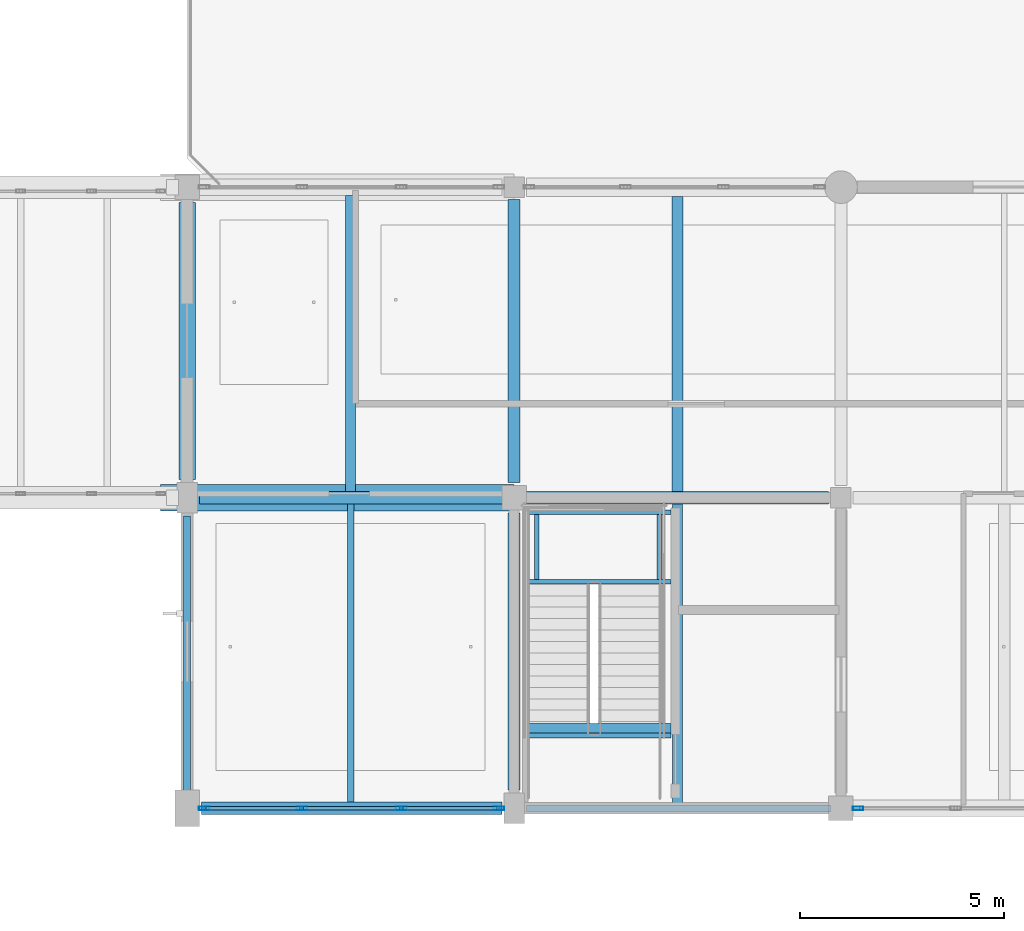
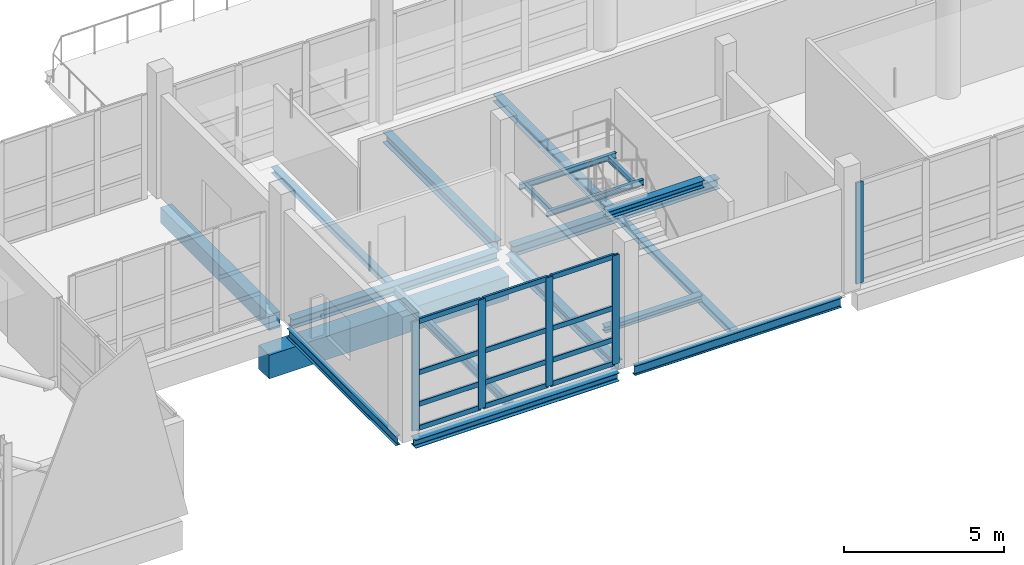
# One storey, part 25 of 147: 19 beams, 17 members, 2 elements without a shape of their own.
"""IFC4 building model written with IfcOpenShell, lengths in metres."""

from ifc_helpers import new_model, si_unit, direction, frame, origin, origin_2d, place, context, subcontext, project, spatial, rectangle, hollow_rectangle, i_section, extrude, material, material_profile, profile_set, type_object, element, aggregate, save


model = new_model("IFC4")

# Units and contexts
model_context = context("Model", 3, precision=1e-05, world=origin(), true_north=direction((0.0, 1.0)))
body_context = subcontext(model_context, "Body", "Model", "MODEL_VIEW")
ifc_project = project(units=[si_unit("LENGTHUNIT", "METRE"), si_unit("AREAUNIT", "SQUARE_METRE"), si_unit("VOLUMEUNIT", "CUBIC_METRE"), si_unit("PLANEANGLEUNIT", "RADIAN"), si_unit("MASSUNIT", "GRAM", prefix="KILO")], contexts=[model_context])

# Site, building, storey
site_placement = place(None, origin())
site = spatial("IfcSite", under=ifc_project, at=site_placement, CompositionType="ELEMENT")
building_placement = place(site_placement, origin())
building = spatial("IfcBuilding", under=site, at=building_placement, Name="Khelvaren Railside Concert Hall", CompositionType="ELEMENT")
storey_placement = place(building_placement, frame((0.0, 0.0, 5.39990234375)))
storey = spatial("IfcBuildingStorey", under=building, at=storey_placement, Name="L01", CompositionType="ELEMENT", Elevation=5.39990234375)

# Beams
ifc_material_1 = material(Name="Concrete C40/50", Category="concrete")
ifc_material_profile_1 = material_profile(ifc_material_1, rectangle(XDim=0.64990234375, YDim=0.89990234375, at=origin_2d()), Name="RCB 650x900")
ifc_profile_set_1 = profile_set([ifc_material_profile_1], Name="Concrete C40/50")
beam_type_1 = type_object("IfcBeamType", Name="BM18", PredefinedType="BEAM", material=ifc_profile_set_1)
beam_1_placement = place(storey_placement, frame((63.35009765625, 7.60009765625, -1.659912109375), z_axis=(1.0, 0.0, 0.0), x_axis=(0.0, 1.0, 0.0)))
element("IfcBeam", 1, at=beam_1_placement, inside=storey, type_object=beam_type_1, Name="West Promenade Link Bridge L01 Seismic Corbel Seat 1", PredefinedType="BEAM", context=body_context, shape_type="SweptSolid", body=[
    extrude(rectangle(XDim=0.64990234375, YDim=0.89990234375, at=origin_2d()), origin(), (0.0, 0.0, 1.0), 8.64990234375),
])
ifc_material_2 = material(Name="Steel S355", Category="steel")
ifc_material_profile_2 = material_profile(ifc_material_2, i_section(OverallWidth=0.300048828125, OverallDepth=0.389892578125, WebThickness=0.010986328125, FlangeThickness=0.01904296875, FilletRadius=0.027099609375, at=origin_2d()), Name="HEA 400")
ifc_profile_set_2 = profile_set([ifc_material_profile_2], Name="Steel S355")
beam_type_2 = type_object("IfcBeamType", Name="BM23", PredefinedType="BEAM", material=ifc_profile_set_2)
beam_2_placement = place(storey_placement, frame((72.25, 7.60009765625, -0.494873046875), z_axis=(1.0, 0.0, 0.0), x_axis=(0.0, 1.0, 0.0)))
element("IfcBeam", 2, at=beam_2_placement, inside=storey, type_object=beam_type_2, Name="V3 L01 Beam X2.2", PredefinedType="BEAM", context=body_context, shape_type="SweptSolid", body=[
    extrude(i_section(OverallWidth=0.300048828125, OverallDepth=0.389892578125, WebThickness=0.010986328125, FlangeThickness=0.01904296875, FilletRadius=0.027099609375, at=origin_2d()), origin(), (0.0, 0.0, 1.0), 7.449951171875),
])
beam_3_placement = place(storey_placement, frame((72.0, 7.97509765625, -0.494873046875), z_axis=(0.0, 1.0, 0.0), x_axis=(-1.0, 0.0, 0.0)))
element("IfcBeam", 3, at=beam_3_placement, inside=storey, type_object=beam_type_2, Name="V3 L01 Beam Y2.2", PredefinedType="BEAM", context=body_context, shape_type="SweptSolid", body=[
    extrude(i_section(OverallWidth=0.300048828125, OverallDepth=0.389892578125, WebThickness=0.010986328125, FlangeThickness=0.01904296875, FilletRadius=0.027099609375, at=origin_2d()), origin(), (0.0, 0.0, 1.0), 6.9248046875),
])
ifc_material_profile_3 = material_profile(ifc_material_2, i_section(OverallWidth=0.239990234375, OverallDepth=0.22998046875, WebThickness=0.007568359375, FlangeThickness=0.011962890625, FilletRadius=0.02099609375, at=origin_2d()), Name="HEA 240")
ifc_profile_set_3 = profile_set([ifc_material_profile_3], Name="Steel S355")
beam_type_3 = type_object("IfcBeamType", Name="BM42", PredefinedType="BEAM", material=ifc_profile_set_3)
beam_4_placement = place(storey_placement, frame((72.344970703125, 1.960693359375, -0.114990234375), z_axis=(1.0, 0.0, 0.0), x_axis=(0.0, 1.0, 0.0)))
element("IfcBeam", 4, at=beam_4_placement, inside=storey, type_object=beam_type_3, Name="ST-05 L01 Stair Foot Trimmer Beam", PredefinedType="BEAM", context=body_context, shape_type="SweptSolid", body=[
    extrude(i_section(OverallWidth=0.239990234375, OverallDepth=0.22998046875, WebThickness=0.007568359375, FlangeThickness=0.011962890625, FilletRadius=0.02099609375, at=origin_2d()), origin(), (0.0, 0.0, 1.0), 3.4951171875),
])
ifc_material_profile_4 = material_profile(ifc_material_2, i_section(OverallWidth=0.300048828125, OverallDepth=0.35009765625, WebThickness=0.010009765625, FlangeThickness=0.017578125, FilletRadius=0.027099609375, at=origin_2d()), Name="HEA 360")
ifc_profile_set_4 = profile_set([ifc_material_profile_4], Name="Steel S355")
beam_type_4 = type_object("IfcBeamType", Name="BM73", PredefinedType="BEAM", material=ifc_profile_set_4)
beam_5_placement = place(storey_placement, frame((64.300048828125, 7.60009765625, -0.474853515625), z_axis=(1.0, 0.0, 0.0), x_axis=(0.0, 1.0, 0.0)))
element("IfcBeam", 5, at=beam_5_placement, inside=storey, type_object=beam_type_4, Name="V3 L01 Beam X2.1", PredefinedType="BEAM", context=body_context, shape_type="SweptSolid", body=[
    extrude(i_section(OverallWidth=0.300048828125, OverallDepth=0.35009765625, WebThickness=0.010009765625, FlangeThickness=0.017578125, FilletRadius=0.027099609375, at=origin_2d()), origin(), (0.0, 0.0, 1.0), 7.449951171875),
])
beam_6_placement = place(storey_placement, frame((72.0, 0.449951171875, -0.474853515625), z_axis=(0.0, 1.0, 0.0), x_axis=(-1.0, 0.0, 0.0)))
element("IfcBeam", 6, at=beam_6_placement, inside=storey, type_object=beam_type_4, Name="V3 L01 Beam Y2.1", PredefinedType="BEAM", context=body_context, shape_type="SweptSolid", body=[
    extrude(i_section(OverallWidth=0.300048828125, OverallDepth=0.35009765625, WebThickness=0.010009765625, FlangeThickness=0.017578125, FilletRadius=0.027099609375, at=origin_2d()), origin(), (0.0, 0.0, 1.0), 6.775146484375),
])
ifc_material_profile_5 = material_profile(ifc_material_2, i_section(OverallWidth=0.110107421875, OverallDepth=0.219970703125, WebThickness=0.005859375, FlangeThickness=0.00927734375, FilletRadius=0.011962890625, at=origin_2d()), Name="IPE 220")
ifc_profile_set_5 = profile_set([ifc_material_profile_5], Name="Steel S355")
beam_type_5 = type_object("IfcBeamType", Name="BM87", PredefinedType="BEAM", material=ifc_profile_set_5)
for number, where, z_axis, x_axis, name in (
    (7, (72.344970703125, 5.544921875, 2.090087890625), (1.0, 0.0, 0.0), (0.0, 1.0, 0.0), "ST-05 L01 Half-Landing Front Beam"),
    (8, (72.344970703125, 7.239990234375, 2.090087890625), (1.0, 0.0, 0.0), (0.0, 1.0, 0.0), "ST-05 L01 Half-Landing Rear Beam"),
):
    element("IfcBeam", number, at=place(storey_placement, frame(where, z_axis=z_axis, x_axis=x_axis)), inside=storey, type_object=beam_type_5, Name=name, PredefinedType="BEAM", context=body_context, shape_type="SweptSolid", body=[
        extrude(i_section(OverallWidth=0.110107421875, OverallDepth=0.219970703125, WebThickness=0.005859375, FlangeThickness=0.00927734375, FilletRadius=0.011962890625, at=origin_2d()), origin(), (0.0, 0.0, 1.0), 3.4951171875),
    ])
for number, where, z_axis, x_axis, name in (
    (9, (72.550048828125, 5.60009765625, 2.090087890625), (0.0, 1.0, 0.0), (-1.0, 0.0, 0.0), "ST-05 L01 Half-Landing Side Tie W"),
    (10, (75.550048828125, 5.60009765625, 2.090087890625), (0.0, 1.0, 0.0), (-1.0, 0.0, 0.0), "ST-05 L01 Half-Landing Side Tie E"),
):
    element("IfcBeam", number, at=place(storey_placement, frame(where, z_axis=z_axis, x_axis=x_axis)), inside=storey, type_object=beam_type_5, Name=name, PredefinedType="BEAM", context=body_context, shape_type="SweptSolid", body=[
        extrude(i_section(OverallWidth=0.110107421875, OverallDepth=0.219970703125, WebThickness=0.005859375, FlangeThickness=0.00927734375, FilletRadius=0.011962890625, at=origin_2d()), origin(), (0.0, 0.0, 1.0), 1.5849609375),
    ])
ifc_material_profile_6 = material_profile(ifc_material_2, i_section(OverallWidth=0.280029296875, OverallDepth=0.27001953125, WebThickness=0.008056640625, FlangeThickness=0.012939453125, FilletRadius=0.02392578125, at=origin_2d()), Name="HEA 280")
ifc_profile_set_6 = profile_set([ifc_material_profile_6], Name="Steel S355")
beam_type_6 = type_object("IfcBeamType", Name="BM93", PredefinedType="BEAM", material=ifc_profile_set_6)
beam_7_placement = place(storey_placement, frame((72.344970703125, 1.860107421875, 4.31787109375), z_axis=(1.0, 0.0, 0.0), x_axis=(0.0, 1.0, 0.0)))
element("IfcBeam", 11, at=beam_7_placement, inside=storey, type_object=beam_type_6, Name="ST-05 L01 Stair Top Arrival Trimmer Beam", PredefinedType="BEAM", context=body_context, shape_type="SweptSolid", body=[
    extrude(i_section(OverallWidth=0.280029296875, OverallDepth=0.27001953125, WebThickness=0.008056640625, FlangeThickness=0.012939453125, FilletRadius=0.02392578125, at=origin_2d()), origin(), (0.0, 0.0, 1.0), 3.4951171875),
])

# Curtain wall, members
ifc_material_3 = material(Name="Acoustic laminated crystal facade glass", Category="glass")
curtain_wall_type_1 = type_object("IfcCurtainWallType", Name="CW54", PredefinedType="USERDEFINED", material=ifc_material_3)
curtain_wall_1_placement = place(storey_placement, origin())
curtain_wall_1 = element("IfcCurtainWall", 12, at=curtain_wall_1_placement, inside=storey, type_object=curtain_wall_type_1, Name="Unitised Curtain Wall CW-V3-L01-S-64", ObjectType="UNITISED CURTAIN WALL", PredefinedType="USERDEFINED")
ifc_material_4 = material(Name="Anodised architectural aluminium 6063-T6", Category="aluminium")
ifc_material_profile_7 = material_profile(ifc_material_4, hollow_rectangle(XDim=0.0849609375, YDim=0.260009765625, WallThickness=0.0048828125, InnerFilletRadius=0.0029296875, OuterFilletRadius=0.0048828125, at=origin_2d()), Name="CWM 85x260x5")
ifc_profile_set_7 = profile_set([ifc_material_profile_7], Name="Anodised architectural aluminium 6063-T6")
member_type_1 = type_object("IfcMemberType", Name="CWM40", PredefinedType="MULLION", material=ifc_profile_set_7)
member_1_placement = place(storey_placement, frame((71.6298828125, 0.0, 0.0), z_axis=(0.0, 0.0, 1.0), x_axis=(0.0, -1.0, 0.0)))
member_1 = element("IfcMember", 13, at=member_1_placement, type_object=member_type_1, Name="CW54 mullion 1", PredefinedType="MULLION", context=body_context, shape_type="SweptSolid", body=[
    extrude(hollow_rectangle(XDim=0.0849609375, YDim=0.260009765625, WallThickness=0.0048828125, InnerFilletRadius=0.0029296875, OuterFilletRadius=0.0048828125, at=origin_2d()), origin(), (0.0, 0.0, 1.0), 4.150146484375),
])
member_2_placement = place(storey_placement, frame((69.24072265625, 0.0, 0.0), z_axis=(0.0, 0.0, 1.0), x_axis=(0.0, -1.0, 0.0)))
member_2 = element("IfcMember", 14, at=member_2_placement, type_object=member_type_1, Name="CW54 mullion 2", PredefinedType="MULLION", context=body_context, shape_type="SweptSolid", body=[
    extrude(hollow_rectangle(XDim=0.0849609375, YDim=0.260009765625, WallThickness=0.0048828125, InnerFilletRadius=0.0029296875, OuterFilletRadius=0.0048828125, at=origin_2d()), origin(), (0.0, 0.0, 1.0), 4.150146484375),
])
member_3_placement = place(storey_placement, frame((66.80908203125, 0.0, 0.0), z_axis=(0.0, 0.0, 1.0), x_axis=(0.0, -1.0, 0.0)))
member_3 = element("IfcMember", 15, at=member_3_placement, type_object=member_type_1, Name="CW54 mullion 3", PredefinedType="MULLION", context=body_context, shape_type="SweptSolid", body=[
    extrude(hollow_rectangle(XDim=0.0849609375, YDim=0.260009765625, WallThickness=0.0048828125, InnerFilletRadius=0.0029296875, OuterFilletRadius=0.0048828125, at=origin_2d()), origin(), (0.0, 0.0, 1.0), 4.150146484375),
])
member_4_placement = place(storey_placement, frame((64.419921875, 0.0, 0.0), z_axis=(0.0, 0.0, 1.0), x_axis=(0.0, -1.0, 0.0)))
member_4 = element("IfcMember", 16, at=member_4_placement, type_object=member_type_1, Name="CW54 mullion 4", PredefinedType="MULLION", context=body_context, shape_type="SweptSolid", body=[
    extrude(hollow_rectangle(XDim=0.0849609375, YDim=0.260009765625, WallThickness=0.0048828125, InnerFilletRadius=0.0029296875, OuterFilletRadius=0.0048828125, at=origin_2d()), origin(), (0.0, 0.0, 1.0), 4.150146484375),
])

# Curtain wall, member
curtain_wall_type_2 = type_object("IfcCurtainWallType", Name="CW66", PredefinedType="USERDEFINED", material=ifc_material_3)
curtain_wall_2_placement = place(storey_placement, origin())
curtain_wall_2 = element("IfcCurtainWall", 17, at=curtain_wall_2_placement, inside=storey, type_object=curtain_wall_type_2, Name="Unitised Curtain Wall CW-V3-L01-S-80", ObjectType="UNITISED CURTAIN WALL", PredefinedType="USERDEFINED")
member_5_placement = place(storey_placement, frame((80.419921875, 0.0, 0.0), z_axis=(0.0, 0.0, 1.0), x_axis=(0.0, -1.0, 0.0)))
member_5 = element("IfcMember", 18, at=member_5_placement, type_object=member_type_1, Name="CW66 mullion 4", PredefinedType="MULLION", context=body_context, shape_type="SweptSolid", body=[
    extrude(hollow_rectangle(XDim=0.0849609375, YDim=0.260009765625, WallThickness=0.0048828125, InnerFilletRadius=0.0029296875, OuterFilletRadius=0.0048828125, at=origin_2d()), origin(), (0.0, 0.0, 1.0), 3.85009765625),
])
aggregate(curtain_wall_2, [member_5])

# Member
ifc_material_profile_8 = material_profile(ifc_material_4, hollow_rectangle(XDim=0.0849609375, YDim=0.18994140625, WallThickness=0.0048828125, InnerFilletRadius=0.0029296875, OuterFilletRadius=0.0048828125, at=origin_2d()), Name="CWT 85x190x5")
ifc_profile_set_8 = profile_set([ifc_material_profile_8], Name="Anodised architectural aluminium 6063-T6")
member_type_2 = type_object("IfcMemberType", Name="CWT31", PredefinedType="USERDEFINED", material=ifc_profile_set_8)
member_6_placement = place(storey_placement, frame((71.58740234375, 0.0, 0.04248046875), z_axis=(-1.0, 0.0, 0.0), x_axis=(0.0, -1.0, 0.0)))
member_6 = element("IfcMember", 19, at=member_6_placement, type_object=member_type_2, Name="CW54 transom 1.1", ObjectType="TRANSOM", PredefinedType="USERDEFINED", context=body_context, shape_type="SweptSolid", body=[
    extrude(hollow_rectangle(XDim=0.0849609375, YDim=0.18994140625, WallThickness=0.0048828125, InnerFilletRadius=0.0029296875, OuterFilletRadius=0.0048828125, at=origin_2d()), origin(), (0.0, 0.0, 1.0), 2.303955078125),
])

member_7_placement = place(storey_placement, frame((71.58740234375, 0.0, 0.9501953125), z_axis=(-1.0, 0.0, 0.0), x_axis=(0.0, -1.0, 0.0)))
member_7 = element("IfcMember", 20, at=member_7_placement, type_object=member_type_2, Name="CW54 transom 1.2", ObjectType="TRANSOM", PredefinedType="USERDEFINED", context=body_context, shape_type="SweptSolid", body=[
    extrude(hollow_rectangle(XDim=0.0849609375, YDim=0.18994140625, WallThickness=0.0048828125, InnerFilletRadius=0.0029296875, OuterFilletRadius=0.0048828125, at=origin_2d()), origin(), (0.0, 0.0, 1.0), 2.303955078125),
])

member_8_placement = place(storey_placement, frame((71.58740234375, 0.0, 2.158203125), z_axis=(-1.0, 0.0, 0.0), x_axis=(0.0, -1.0, 0.0)))
member_8 = element("IfcMember", 21, at=member_8_placement, type_object=member_type_2, Name="CW54 transom 1.3", ObjectType="TRANSOM", PredefinedType="USERDEFINED", context=body_context, shape_type="SweptSolid", body=[
    extrude(hollow_rectangle(XDim=0.0849609375, YDim=0.18994140625, WallThickness=0.0048828125, InnerFilletRadius=0.0029296875, OuterFilletRadius=0.0048828125, at=origin_2d()), origin(), (0.0, 0.0, 1.0), 2.303955078125),
])

member_9_placement = place(storey_placement, frame((71.58740234375, 0.0, 4.107666015625), z_axis=(-1.0, 0.0, 0.0), x_axis=(0.0, -1.0, 0.0)))
member_9 = element("IfcMember", 22, at=member_9_placement, type_object=member_type_2, Name="CW54 transom 1.4", ObjectType="TRANSOM", PredefinedType="USERDEFINED", context=body_context, shape_type="SweptSolid", body=[
    extrude(hollow_rectangle(XDim=0.0849609375, YDim=0.18994140625, WallThickness=0.0048828125, InnerFilletRadius=0.0029296875, OuterFilletRadius=0.0048828125, at=origin_2d()), origin(), (0.0, 0.0, 1.0), 2.303955078125),
])

member_10_placement = place(storey_placement, frame((69.1982421875, 0.0, 0.04248046875), z_axis=(-1.0, 0.0, 0.0), x_axis=(0.0, -1.0, 0.0)))
member_10 = element("IfcMember", 23, at=member_10_placement, type_object=member_type_2, Name="CW54 transom 2.1", ObjectType="TRANSOM", PredefinedType="USERDEFINED", context=body_context, shape_type="SweptSolid", body=[
    extrude(hollow_rectangle(XDim=0.0849609375, YDim=0.18994140625, WallThickness=0.0048828125, InnerFilletRadius=0.0029296875, OuterFilletRadius=0.0048828125, at=origin_2d()), origin(), (0.0, 0.0, 1.0), 2.3466796875),
])

member_11_placement = place(storey_placement, frame((69.1982421875, 0.0, 0.9501953125), z_axis=(-1.0, 0.0, 0.0), x_axis=(0.0, -1.0, 0.0)))
member_11 = element("IfcMember", 24, at=member_11_placement, type_object=member_type_2, Name="CW54 transom 2.2", ObjectType="TRANSOM", PredefinedType="USERDEFINED", context=body_context, shape_type="SweptSolid", body=[
    extrude(hollow_rectangle(XDim=0.0849609375, YDim=0.18994140625, WallThickness=0.0048828125, InnerFilletRadius=0.0029296875, OuterFilletRadius=0.0048828125, at=origin_2d()), origin(), (0.0, 0.0, 1.0), 2.3466796875),
])

member_12_placement = place(storey_placement, frame((69.1982421875, 0.0, 2.158203125), z_axis=(-1.0, 0.0, 0.0), x_axis=(0.0, -1.0, 0.0)))
member_12 = element("IfcMember", 25, at=member_12_placement, type_object=member_type_2, Name="CW54 transom 2.3", ObjectType="TRANSOM", PredefinedType="USERDEFINED", context=body_context, shape_type="SweptSolid", body=[
    extrude(hollow_rectangle(XDim=0.0849609375, YDim=0.18994140625, WallThickness=0.0048828125, InnerFilletRadius=0.0029296875, OuterFilletRadius=0.0048828125, at=origin_2d()), origin(), (0.0, 0.0, 1.0), 2.3466796875),
])

member_13_placement = place(storey_placement, frame((69.1982421875, 0.0, 4.107666015625), z_axis=(-1.0, 0.0, 0.0), x_axis=(0.0, -1.0, 0.0)))
member_13 = element("IfcMember", 26, at=member_13_placement, type_object=member_type_2, Name="CW54 transom 2.4", ObjectType="TRANSOM", PredefinedType="USERDEFINED", context=body_context, shape_type="SweptSolid", body=[
    extrude(hollow_rectangle(XDim=0.0849609375, YDim=0.18994140625, WallThickness=0.0048828125, InnerFilletRadius=0.0029296875, OuterFilletRadius=0.0048828125, at=origin_2d()), origin(), (0.0, 0.0, 1.0), 2.3466796875),
])

member_14_placement = place(storey_placement, frame((66.7666015625, 0.0, 0.04248046875), z_axis=(-1.0, 0.0, 0.0), x_axis=(0.0, -1.0, 0.0)))
member_14 = element("IfcMember", 27, at=member_14_placement, type_object=member_type_2, Name="CW54 transom 3.1", ObjectType="TRANSOM", PredefinedType="USERDEFINED", context=body_context, shape_type="SweptSolid", body=[
    extrude(hollow_rectangle(XDim=0.0849609375, YDim=0.18994140625, WallThickness=0.0048828125, InnerFilletRadius=0.0029296875, OuterFilletRadius=0.0048828125, at=origin_2d()), origin(), (0.0, 0.0, 1.0), 2.30419921875),
])

member_15_placement = place(storey_placement, frame((66.7666015625, 0.0, 0.9501953125), z_axis=(-1.0, 0.0, 0.0), x_axis=(0.0, -1.0, 0.0)))
member_15 = element("IfcMember", 28, at=member_15_placement, type_object=member_type_2, Name="CW54 transom 3.2", ObjectType="TRANSOM", PredefinedType="USERDEFINED", context=body_context, shape_type="SweptSolid", body=[
    extrude(hollow_rectangle(XDim=0.0849609375, YDim=0.18994140625, WallThickness=0.0048828125, InnerFilletRadius=0.0029296875, OuterFilletRadius=0.0048828125, at=origin_2d()), origin(), (0.0, 0.0, 1.0), 2.30419921875),
])

member_16_placement = place(storey_placement, frame((66.7666015625, 0.0, 2.158203125), z_axis=(-1.0, 0.0, 0.0), x_axis=(0.0, -1.0, 0.0)))
member_16 = element("IfcMember", 29, at=member_16_placement, type_object=member_type_2, Name="CW54 transom 3.3", ObjectType="TRANSOM", PredefinedType="USERDEFINED", context=body_context, shape_type="SweptSolid", body=[
    extrude(hollow_rectangle(XDim=0.0849609375, YDim=0.18994140625, WallThickness=0.0048828125, InnerFilletRadius=0.0029296875, OuterFilletRadius=0.0048828125, at=origin_2d()), origin(), (0.0, 0.0, 1.0), 2.30419921875),
])

member_17_placement = place(storey_placement, frame((66.7666015625, 0.0, 4.107666015625), z_axis=(-1.0, 0.0, 0.0), x_axis=(0.0, -1.0, 0.0)))
member_17 = element("IfcMember", 30, at=member_17_placement, type_object=member_type_2, Name="CW54 transom 3.4", ObjectType="TRANSOM", PredefinedType="USERDEFINED", context=body_context, shape_type="SweptSolid", body=[
    extrude(hollow_rectangle(XDim=0.0849609375, YDim=0.18994140625, WallThickness=0.0048828125, InnerFilletRadius=0.0029296875, OuterFilletRadius=0.0048828125, at=origin_2d()), origin(), (0.0, 0.0, 1.0), 2.30419921875),
])

aggregate(curtain_wall_1, [member_1, member_2, member_3, member_4, member_6, member_7, member_8, member_9, member_10, member_11, member_12, member_13, member_14, member_15, member_16, member_17])

# Beams
ifc_material_profile_9 = material_profile(ifc_material_2, i_section(OverallWidth=0.280029296875, OverallDepth=0.27001953125, WebThickness=0.008056640625, FlangeThickness=0.012939453125, FilletRadius=0.02392578125, at=origin_2d()), Name="HEA 280")
ifc_profile_set_9 = profile_set([ifc_material_profile_9], Name="Steel S355")
beam_type_7 = type_object("IfcBeamType", Name="JS46", PredefinedType="JOIST", material=ifc_profile_set_9)
beam_8_placement = place(storey_placement, frame((76.0, 7.75, -0.434814453125), z_axis=(0.0, 1.0, 0.0), x_axis=(-1.0, 0.0, 0.0)))
element("IfcBeam", 31, at=beam_8_placement, inside=storey, type_object=beam_type_7, Name="V3 L01 Secondary Joist 2.2", PredefinedType="JOIST", context=body_context, shape_type="SweptSolid", body=[
    extrude(i_section(OverallWidth=0.280029296875, OverallDepth=0.27001953125, WebThickness=0.008056640625, FlangeThickness=0.012939453125, FilletRadius=0.02392578125, at=origin_2d()), origin(), (0.0, 0.0, 1.0), 7.22509765625),
])
ifc_material_profile_10 = material_profile(ifc_material_2, i_section(OverallWidth=0.159912109375, OverallDepth=0.330078125, WebThickness=0.007568359375, FlangeThickness=0.011474609375, FilletRadius=0.01806640625, at=origin_2d()), Name="IPE 330")
ifc_profile_set_10 = profile_set([ifc_material_profile_10], Name="Steel S355")
beam_type_8 = type_object("IfcBeamType", Name="JS65", PredefinedType="JOIST", material=ifc_profile_set_10)
beam_9_placement = place(storey_placement, frame((68.0, 0.14990234375, -0.46484375), z_axis=(0.0, 1.0, 0.0), x_axis=(-1.0, 0.0, 0.0)))
element("IfcBeam", 32, at=beam_9_placement, inside=storey, type_object=beam_type_8, Name="V3 L01 Secondary Joist 1.1", PredefinedType="JOIST", context=body_context, shape_type="SweptSolid", body=[
    extrude(i_section(OverallWidth=0.159912109375, OverallDepth=0.330078125, WebThickness=0.007568359375, FlangeThickness=0.011474609375, FilletRadius=0.01806640625, at=origin_2d()), origin(), (0.0, 0.0, 1.0), 7.300048828125),
])
ifc_material_profile_11 = material_profile(ifc_material_2, i_section(OverallWidth=0.239990234375, OverallDepth=0.22998046875, WebThickness=0.007568359375, FlangeThickness=0.011962890625, FilletRadius=0.02099609375, at=origin_2d()), Name="HEA 240")
ifc_profile_set_11 = profile_set([ifc_material_profile_11], Name="Steel S355")
beam_type_9 = type_object("IfcBeamType", Name="JS76", PredefinedType="JOIST", material=ifc_profile_set_11)
beam_10_placement = place(storey_placement, frame((68.0, 7.75, -0.414794921875), z_axis=(0.0, 1.0, 0.0), x_axis=(-1.0, 0.0, 0.0)))
element("IfcBeam", 33, at=beam_10_placement, inside=storey, type_object=beam_type_9, Name="V3 L01 Secondary Joist 1.2", PredefinedType="JOIST", context=body_context, shape_type="SweptSolid", body=[
    extrude(i_section(OverallWidth=0.239990234375, OverallDepth=0.22998046875, WebThickness=0.007568359375, FlangeThickness=0.011962890625, FilletRadius=0.02099609375, at=origin_2d()), origin(), (0.0, 0.0, 1.0), 7.25),
])
beam_11_placement = place(storey_placement, frame((76.0, 0.0849609375, -0.414794921875), z_axis=(0.0, 1.0, 0.0), x_axis=(-1.0, 0.0, 0.0)))
element("IfcBeam", 34, at=beam_11_placement, inside=storey, type_object=beam_type_9, Name="V3 L01 Secondary Joist 2.1", PredefinedType="JOIST", context=body_context, shape_type="SweptSolid", body=[
    extrude(i_section(OverallWidth=0.239990234375, OverallDepth=0.22998046875, WebThickness=0.007568359375, FlangeThickness=0.011962890625, FilletRadius=0.02099609375, at=origin_2d()), origin(), (0.0, 0.0, 1.0), 7.364990234375),
])
ifc_material_profile_12 = material_profile(ifc_material_2, i_section(OverallWidth=0.300048828125, OverallDepth=0.31005859375, WebThickness=0.009033203125, FlangeThickness=0.015380859375, FilletRadius=0.027099609375, at=origin_2d()), Name="HEA 320")
ifc_profile_set_12 = profile_set([ifc_material_profile_12], Name="Steel S355")
beam_type_10 = type_object("IfcBeamType", Name="SP66", PredefinedType="SPANDREL", material=ifc_profile_set_12)
beam_12_placement = place(storey_placement, frame((64.35009765625, 0.0, -0.454833984375), z_axis=(1.0, 0.0, 0.0), x_axis=(0.0, 1.0, 0.0)))
element("IfcBeam", 35, at=beam_12_placement, inside=storey, type_object=beam_type_10, Name="V3 L01 Spandrel X1.1", PredefinedType="SPANDREL", context=body_context, shape_type="SweptSolid", body=[
    extrude(i_section(OverallWidth=0.300048828125, OverallDepth=0.31005859375, WebThickness=0.009033203125, FlangeThickness=0.015380859375, FilletRadius=0.027099609375, at=origin_2d()), origin(), (0.0, 0.0, 1.0), 7.349853515625),
])
ifc_material_profile_13 = material_profile(ifc_material_2, i_section(OverallWidth=0.169921875, OverallDepth=0.360107421875, WebThickness=0.008056640625, FlangeThickness=0.0126953125, FilletRadius=0.01806640625, at=origin_2d()), Name="IPE 360")
ifc_profile_set_13 = profile_set([ifc_material_profile_13], Name="Steel S355")
beam_type_11 = type_object("IfcBeamType", Name="SP74", PredefinedType="SPANDREL", material=ifc_profile_set_13)
beam_13_placement = place(storey_placement, frame((72.300048828125, 0.0, -0.47998046875), z_axis=(1.0, 0.0, 0.0), x_axis=(0.0, 1.0, 0.0)))
element("IfcBeam", 36, at=beam_13_placement, inside=storey, type_object=beam_type_11, Name="V3 L01 Spandrel X1.2", PredefinedType="SPANDREL", context=body_context, shape_type="SweptSolid", body=[
    extrude(i_section(OverallWidth=0.169921875, OverallDepth=0.360107421875, WebThickness=0.008056640625, FlangeThickness=0.0126953125, FilletRadius=0.01806640625, at=origin_2d()), origin(), (0.0, 0.0, 1.0), 7.449951171875),
])
beam_14_placement = place(storey_placement, frame((64.0, 0.35009765625, -0.47998046875), z_axis=(0.0, 1.0, 0.0), x_axis=(-1.0, 0.0, 0.0)))
element("IfcBeam", 37, at=beam_14_placement, inside=storey, type_object=beam_type_11, Name="V3 L01 Spandrel Y1.1", PredefinedType="SPANDREL", context=body_context, shape_type="SweptSolid", body=[
    extrude(i_section(OverallWidth=0.169921875, OverallDepth=0.360107421875, WebThickness=0.008056640625, FlangeThickness=0.0126953125, FilletRadius=0.01806640625, at=origin_2d()), origin(), (0.0, 0.0, 1.0), 6.7998046875),
])
ifc_material_profile_14 = material_profile(ifc_material_1, rectangle(XDim=0.39990234375, YDim=0.60009765625, at=origin_2d()), Name="RCB 400x600")
ifc_profile_set_14 = profile_set([ifc_material_profile_14], Name="Concrete C40/50")
beam_type_12 = type_object("IfcBeamType", Name="SP75", PredefinedType="SPANDREL", material=ifc_profile_set_14)
beam_15_placement = place(storey_placement, frame((64.0, 8.050048828125, -0.599853515625), z_axis=(0.0, 1.0, 0.0), x_axis=(-1.0, 0.0, 0.0)))
element("IfcBeam", 38, at=beam_15_placement, inside=storey, type_object=beam_type_12, Name="V3 L01 Spandrel Y1.2", PredefinedType="SPANDREL", context=body_context, shape_type="SweptSolid", body=[
    extrude(rectangle(XDim=0.39990234375, YDim=0.60009765625, at=origin_2d()), origin(), (0.0, 0.0, 1.0), 6.77490234375),
])

save(model, "model.ifc")
